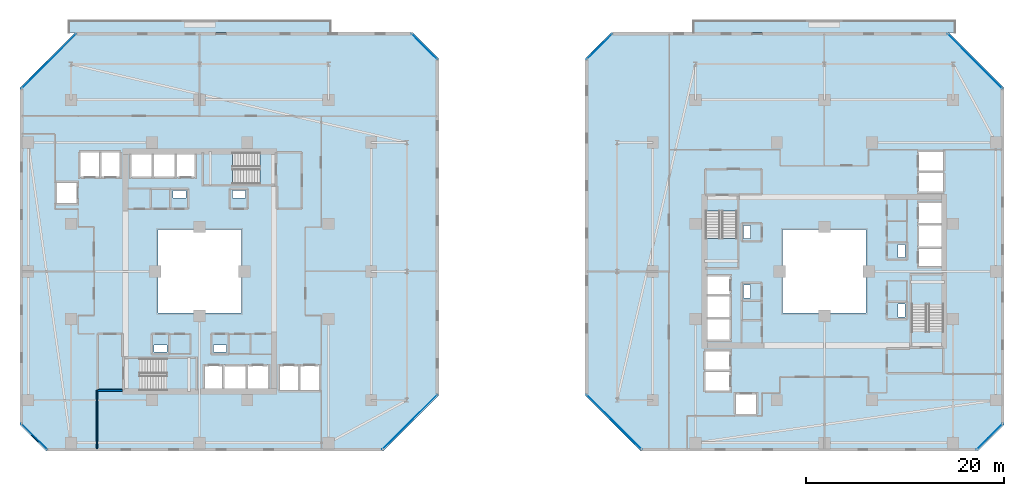
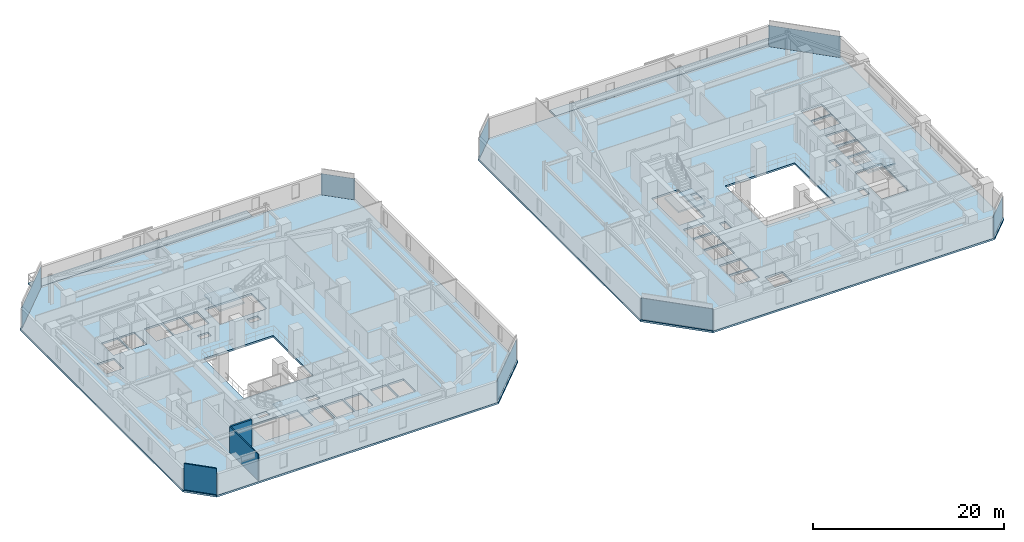
# One storey, part 15 of 29: 8 plates, 8 slabs, 3 walls, 12 elements without a shape of their own.
"""IFC4 building model written with IfcOpenShell, lengths in metres."""

import ifcopenshell
import ifcopenshell.guid

model = None  # the IFC model being written
_history = None  # IfcOwnerHistory: only IFC2X3 demands one
_inside = {}  # id of a spatial element -> (the spatial element, [elements in it])
_under = {}  # id of a project, library or spatial element -> (it, [spatial elements below it])
_declared = {}  # id of a project -> (the project, [libraries it declares])
_typed = {}  # id of a type object -> (the type object, [elements of that type])
_made_of = {}  # id of a material, layer set ... -> (it, [elements and type objects made of it])


def new_model(schema):
    """Start an empty IFC model of exactly this schema.

    Asked for "IFC4X3", IfcOpenShell would pick the latest addendum, in which some entities
    have other attributes; the version numbers below select the first issue.
    IFC2X3 requires an IfcOwnerHistory on every rooted entity: one is made here for all.
    """
    global model, _history
    if schema == "IFC4X3":
        model = ifcopenshell.file(schema_version=(4, 3, 0, 0))
    else:
        model = ifcopenshell.file(schema=schema)
    _inside.clear()
    _under.clear()
    _declared.clear()
    _typed.clear()
    _made_of.clear()
    _history = None
    if model.schema == "IFC2X3":
        org = make("IfcOrganization", Name="unknown")
        user = make(
            "IfcPersonAndOrganization",
            ThePerson=make("IfcPerson", FamilyName="unknown"),
            TheOrganization=org,
        )
        app = make(
            "IfcApplication",
            ApplicationDeveloper=org,
            Version="unknown",
            ApplicationFullName="unknown",
            ApplicationIdentifier="unknown",
        )
        _history = make(
            "IfcOwnerHistory",
            OwningUser=user,
            OwningApplication=app,
            ChangeAction="ADDED",
            CreationDate=0,
        )
    return model


def make(cls, **values):
    """One entity of the class cls with the attributes given. An attribute that is None is left unset."""
    return model.create_entity(
        cls, **{name: value for name, value in values.items() if value is not None}
    )


def rooted(cls, **values):
    """An entity with a GlobalId (a new one), such as an element, a storey or a relation."""
    return make(cls, GlobalId=ifcopenshell.guid.new(), OwnerHistory=_history, **values)


def si_unit(unit_type, name, prefix=None):
    """IfcSIUnit, for example si_unit("LENGTHUNIT", "METRE", prefix="MILLI")."""
    return make("IfcSIUnit", UnitType=unit_type, Prefix=prefix, Name=name)


def assignment(units):
    """IfcUnitAssignment: the units of a project."""
    return None if units is None else make("IfcUnitAssignment", Units=units)


def point(xyz):
    """IfcCartesianPoint."""
    return None if xyz is None else make("IfcCartesianPoint", Coordinates=xyz)


def direction(xyz):
    """IfcDirection."""
    return None if xyz is None else make("IfcDirection", DirectionRatios=xyz)


def frame(location, z_axis=None, x_axis=None):
    """IfcAxis2Placement3D, a coordinate frame: its origin and axes. An axis left out is left unset."""
    return make(
        "IfcAxis2Placement3D",
        Location=point(location),
        Axis=direction(z_axis),
        RefDirection=direction(x_axis),
    )


def frame_2d(location, x_axis=None):
    """IfcAxis2Placement2D, a coordinate frame in the plane: its origin and x axis."""
    return make(
        "IfcAxis2Placement2D", Location=point(location), RefDirection=direction(x_axis)
    )


def origin():
    """The frame at (0, 0, 0) with its axes left unset."""
    return frame((0.0, 0.0, 0.0))


def origin_2d():
    """The frame at (0, 0) in the plane with its x axis left unset."""
    return frame_2d((0.0, 0.0))


def place(relative_to, where):
    """IfcLocalPlacement: puts the frame where relative to a parent placement (None: the world)."""
    return make(
        "IfcLocalPlacement", PlacementRelTo=relative_to, RelativePlacement=where
    )


def context(
    kind, dimensions, precision=None, world=None, true_north=None, identifier=None
):
    """IfcGeometricRepresentationContext, for example the 3D "Model" context."""
    return make(
        "IfcGeometricRepresentationContext",
        ContextIdentifier=identifier,
        ContextType=kind,
        CoordinateSpaceDimension=dimensions,
        Precision=precision,
        WorldCoordinateSystem=world,
        TrueNorth=true_north,
    )


def subcontext(parent, identifier, kind, view, scale=None):
    """IfcGeometricRepresentationSubContext, for example "Body" below "Model"."""
    return make(
        "IfcGeometricRepresentationSubContext",
        ContextIdentifier=identifier,
        ContextType=kind,
        ParentContext=parent,
        TargetScale=scale,
        TargetView=view,
    )


def project(units=None, contexts=None):
    """IfcProject with its units and contexts."""
    return rooted(
        "IfcProject",
        Name="project",
        RepresentationContexts=contexts,
        UnitsInContext=assignment(units),
    )


def spatial(cls, under=None, at=None, **own):
    """A site, building, storey or space (cls), placed at a placement, below another one or the project."""
    s = rooted(cls, ObjectPlacement=at, **own)
    if under is not None:
        _under.setdefault(under.id(), (under, []))[1].append(s)
    return s


def polyline(points):
    """IfcPolyline through the points."""
    return make("IfcPolyline", Points=[point(p) for p in points])


def profile(cls, at=None, kind="AREA", **sizes):
    """A parametric profile (cls). Its sizes go by their IFC names, for example OverallWidth=200.0."""
    return make(cls, ProfileType=kind, Position=at, **sizes)


def rectangle(**sizes):
    """IfcRectangleProfileDef."""
    return profile("IfcRectangleProfileDef", **sizes)


def outline(outer, holes=None, kind="AREA"):
    """IfcArbitraryClosedProfileDef: a profile drawn as a closed curve; with holes, ...WithVoids."""
    if holes is None:
        return make("IfcArbitraryClosedProfileDef", ProfileType=kind, OuterCurve=outer)
    return make(
        "IfcArbitraryProfileDefWithVoids",
        ProfileType=kind,
        OuterCurve=outer,
        InnerCurves=holes,
    )


def extrude(swept, where, along, depth):
    """IfcExtrudedAreaSolid: the profile swept, set in the frame where, extruded along a direction by depth."""
    return make(
        "IfcExtrudedAreaSolid",
        SweptArea=swept,
        Position=where,
        ExtrudedDirection=direction(along),
        Depth=depth,
    )


def shape(context_of_items, identifier, shape_type, items):
    """IfcShapeRepresentation: the items that make up one representation, for example the "Body"."""
    return make(
        "IfcShapeRepresentation",
        ContextOfItems=context_of_items,
        RepresentationIdentifier=identifier,
        RepresentationType=shape_type,
        Items=items,
    )


def material(Name=None, Category=None):
    """IfcMaterial."""
    return make("IfcMaterial", Name=Name, Category=Category)


def layer(
    of_material, thickness, ventilated=None, Name=None, Category=None, Priority=None
):
    """IfcMaterialLayer: one layer of a wall or slab, of a material (None: an air gap)."""
    return make(
        "IfcMaterialLayer",
        Material=of_material,
        LayerThickness=thickness,
        IsVentilated=ventilated,
        Name=Name,
        Category=Category,
        Priority=Priority,
    )


def layer_set(layers, Name=None):
    """IfcMaterialLayerSet."""
    return make("IfcMaterialLayerSet", MaterialLayers=layers, LayerSetName=Name)


def made_of(thing, what):
    """Note that an element or type object is made of a material, layer set ...; save() writes the relation."""
    if what is not None:
        _made_of.setdefault(what.id(), (what, []))[1].append(thing)
    return thing


def type_object(cls, material=None, **own):
    """A type object (cls), such as IfcWallType, which elements share."""
    return made_of(rooted(cls, **own), material)


def element(
    cls,
    number,
    at=None,
    inside=None,
    cuts=None,
    type_object=None,
    material=None,
    context=None,
    identifier="Body",
    shape_type=None,
    held_by="IfcProductDefinitionShape",
    body=None,
    shapes=None,
    **own,
):
    """One element of the class cls, such as IfcWall. Its Tag is "e" and its number.

    at: its placement. inside: the storey or other place that contains it. cuts: it is an
    opening in that element (IfcRelVoidsElement). A single representation is given by context,
    identifier, shape_type and body (its items); several are given by shapes. held_by: the class
    of the entity that holds the representations. save() writes the other relations.
    """
    e = rooted(cls, Tag="e%d" % number, ObjectPlacement=at, **own)
    if body is not None:
        shapes = [shape(context, identifier, shape_type, body)]
    if shapes is not None:
        e.Representation = make(held_by, Representations=shapes)
    if inside is not None:
        _inside.setdefault(inside.id(), (inside, []))[1].append(e)
    if cuts is not None:
        rooted(
            "IfcRelVoidsElement", RelatingBuildingElement=cuts, RelatedOpeningElement=e
        )
    if type_object is not None:
        _typed.setdefault(type_object.id(), (type_object, []))[1].append(e)
    return made_of(e, material)


def aggregate(whole, parts):
    """IfcRelAggregates: a whole, such as a stair, and the parts it consists of."""
    return rooted("IfcRelAggregates", RelatingObject=whole, RelatedObjects=parts)


def save(model, path):
    """Write the relations noted so far, then the file.

    IfcRelAggregates (storeys below a building ...), IfcRelContainedInSpatialStructure (elements
    in a storey), IfcRelDefinesByType, IfcRelAssociatesMaterial and IfcRelDeclares: one each for
    every whole, place, type object, material and project.
    """
    for whole, parts in _under.values():
        aggregate(whole, parts)
    for where, things in _inside.values():
        rooted(
            "IfcRelContainedInSpatialStructure",
            RelatedElements=things,
            RelatingStructure=where,
        )
    for kind, things in _typed.values():
        rooted("IfcRelDefinesByType", RelatedObjects=things, RelatingType=kind)
    for what, things in _made_of.values():
        rooted("IfcRelAssociatesMaterial", RelatedObjects=things, RelatingMaterial=what)
    for by, libraries in _declared.values():
        rooted("IfcRelDeclares", RelatingContext=by, RelatedDefinitions=libraries)
    model.write(path)


model = new_model("IFC4")

# Units and contexts
model_context = context("Model", 3, precision=1e-05, world=origin(), true_north=direction((0.0, 1.0)))
body_context = subcontext(model_context, "Body", "Model", "MODEL_VIEW")
ifc_project = project(units=[si_unit("LENGTHUNIT", "METRE"), si_unit("AREAUNIT", "SQUARE_METRE"), si_unit("VOLUMEUNIT", "CUBIC_METRE"), si_unit("PLANEANGLEUNIT", "RADIAN"), si_unit("MASSUNIT", "GRAM", prefix="KILO")], contexts=[model_context])

# Site, building, storey
site_placement = place(None, origin())
site = spatial("IfcSite", under=ifc_project, at=site_placement, CompositionType="ELEMENT")
building_placement = place(site_placement, origin())
building = spatial("IfcBuilding", under=site, at=building_placement, Name="Thornwick Lancets Civic Towers", CompositionType="ELEMENT")
storey_placement = place(building_placement, frame((0.0, 0.0, 83.699951171875)))
storey = spatial("IfcBuildingStorey", under=building, at=storey_placement, Name="L21", CompositionType="ELEMENT", Elevation=83.699951171875)

# Curtain wall, plate
ifc_material_1 = material(Name="Low-zone chamfered-corner unitised glass curtain wall", Category="glass")
curtain_wall_type = type_object("IfcCurtainWallType", Name="CW_SYS_03", PredefinedType="NOTDEFINED", material=ifc_material_1)
curtain_wall_1_placement = place(storey_placement, origin())
curtain_wall_1 = element("IfcCurtainWall", 1, at=curtain_wall_1_placement, inside=storey, type_object=curtain_wall_type, Name="L21 Curtain Wall CW-L21-A-E1", PredefinedType="NOTDEFINED")
ifc_material_2 = material(Name="Low-e double glazing clear glass", Category="glass")
ifc_layer_1 = layer(ifc_material_2, 0.035888671875, Name="Low-e double glazing clear glass")
ifc_layer_set_1 = layer_set([ifc_layer_1], Name="Low-e double glazing clear glass")
plate_type = type_object("IfcPlateType", Name="CW_PNL_GLASS", PredefinedType="CURTAIN_PANEL", material=ifc_layer_set_1)
plate_1_placement = place(storey_placement, frame((46.70166015625, 11.79833984375, 0.0), z_axis=(0.0, 0.0, 1.0), x_axis=(0.707106781187, 0.707106781187, 0.0)))
plate_1 = element("IfcPlate", 2, at=plate_1_placement, type_object=plate_type, Name="CW-L21-A-E1 Panel 0", PredefinedType="CURTAIN_PANEL", context=body_context, shape_type="SweptSolid", body=[
    extrude(rectangle(XDim=7.783935546875, YDim=0.035888671875, at=origin_2d()), origin(), (0.0, 0.0, 1.0), 2.699951171875),
])
aggregate(curtain_wall_1, [plate_1])

curtain_wall_2_placement = place(storey_placement, origin())
curtain_wall_2 = element("IfcCurtainWall", 3, at=curtain_wall_2_placement, inside=storey, type_object=curtain_wall_type, Name="L21 Curtain Wall CW-L21-A-E3", PredefinedType="NOTDEFINED")
plate_2_placement = place(storey_placement, frame((48.173095703125, 49.673095703125, 0.0), z_axis=(0.0, 0.0, 1.0), x_axis=(-0.707106781187, 0.707106781187, 0.0)))
plate_2 = element("IfcPlate", 4, at=plate_2_placement, type_object=plate_type, Name="CW-L21-A-E3 Panel 0", PredefinedType="CURTAIN_PANEL", context=body_context, shape_type="SweptSolid", body=[
    extrude(rectangle(XDim=3.6494140625, YDim=0.035888671875, at=origin_2d()), origin(), (0.0, 0.0, 1.0), 2.699951171875),
])
aggregate(curtain_wall_2, [plate_2])

curtain_wall_3_placement = place(storey_placement, origin())
curtain_wall_3 = element("IfcCurtainWall", 5, at=curtain_wall_3_placement, inside=storey, type_object=curtain_wall_type, Name="L21 Curtain Wall CW-L21-A-E5", PredefinedType="NOTDEFINED")
plate_3_placement = place(storey_placement, frame((10.29833984375, 48.20166015625, 0.0), z_axis=(0.0, 0.0, 1.0), x_axis=(-0.707106781187, -0.707106781187, 0.0)))
plate_3 = element("IfcPlate", 6, at=plate_3_placement, type_object=plate_type, Name="CW-L21-A-E5 Panel 0", PredefinedType="CURTAIN_PANEL", context=body_context, shape_type="SweptSolid", body=[
    extrude(rectangle(XDim=7.783935546875, YDim=0.035888671875, at=origin_2d()), origin(), (0.0, 0.0, 1.0), 2.699951171875),
])
aggregate(curtain_wall_3, [plate_3])

curtain_wall_4_placement = place(storey_placement, origin())
curtain_wall_4 = element("IfcCurtainWall", 7, at=curtain_wall_4_placement, inside=storey, type_object=curtain_wall_type, Name="L21 Curtain Wall CW-L21-A-E7", PredefinedType="NOTDEFINED")
plate_4_placement = place(storey_placement, frame((8.826904296875, 10.326904296875, 0.0), z_axis=(0.0, 0.0, 1.0), x_axis=(0.707106781187, -0.707106781187, 0.0)))
plate_4 = element("IfcPlate", 8, at=plate_4_placement, type_object=plate_type, Name="CW-L21-A-E7 Panel 0", PredefinedType="CURTAIN_PANEL", context=body_context, shape_type="SweptSolid", body=[
    extrude(rectangle(XDim=3.6494140625, YDim=0.035888671875, at=origin_2d()), origin(), (0.0, 0.0, 1.0), 2.699951171875),
])
aggregate(curtain_wall_4, [plate_4])

curtain_wall_5_placement = place(storey_placement, origin())
curtain_wall_5 = element("IfcCurtainWall", 9, at=curtain_wall_5_placement, inside=storey, type_object=curtain_wall_type, Name="L21 Curtain Wall CW-L21-B-E1", PredefinedType="NOTDEFINED")
plate_5_placement = place(storey_placement, frame((105.173095703125, 10.326904296875, 0.0), z_axis=(0.0, 0.0, 1.0), x_axis=(0.707106781187, 0.707106781187, 0.0)))
plate_5 = element("IfcPlate", 10, at=plate_5_placement, type_object=plate_type, Name="CW-L21-B-E1 Panel 0", PredefinedType="CURTAIN_PANEL", context=body_context, shape_type="SweptSolid", body=[
    extrude(rectangle(XDim=3.6494140625, YDim=0.035888671875, at=origin_2d()), origin(), (0.0, 0.0, 1.0), 2.699951171875),
])
aggregate(curtain_wall_5, [plate_5])

curtain_wall_6_placement = place(storey_placement, origin())
curtain_wall_6 = element("IfcCurtainWall", 11, at=curtain_wall_6_placement, inside=storey, type_object=curtain_wall_type, Name="L21 Curtain Wall CW-L21-B-E3", PredefinedType="NOTDEFINED")
plate_6_placement = place(storey_placement, frame((103.70166015625, 48.20166015625, 0.0), z_axis=(0.0, 0.0, 1.0), x_axis=(-0.707106781187, 0.707106781187, 0.0)))
plate_6 = element("IfcPlate", 12, at=plate_6_placement, type_object=plate_type, Name="CW-L21-B-E3 Panel 0", PredefinedType="CURTAIN_PANEL", context=body_context, shape_type="SweptSolid", body=[
    extrude(rectangle(XDim=7.783935546875, YDim=0.035888671875, at=origin_2d()), origin(), (0.0, 0.0, 1.0), 2.699951171875),
])
aggregate(curtain_wall_6, [plate_6])

curtain_wall_7_placement = place(storey_placement, origin())
curtain_wall_7 = element("IfcCurtainWall", 13, at=curtain_wall_7_placement, inside=storey, type_object=curtain_wall_type, Name="L21 Curtain Wall CW-L21-B-E5", PredefinedType="NOTDEFINED")
plate_7_placement = place(storey_placement, frame((65.826904296875, 49.673095703125, 0.0), z_axis=(0.0, 0.0, 1.0), x_axis=(-0.707106781187, -0.707106781187, 0.0)))
plate_7 = element("IfcPlate", 14, at=plate_7_placement, type_object=plate_type, Name="CW-L21-B-E5 Panel 0", PredefinedType="CURTAIN_PANEL", context=body_context, shape_type="SweptSolid", body=[
    extrude(rectangle(XDim=3.6494140625, YDim=0.035888671875, at=origin_2d()), origin(), (0.0, 0.0, 1.0), 2.699951171875),
])
aggregate(curtain_wall_7, [plate_7])

curtain_wall_8_placement = place(storey_placement, origin())
curtain_wall_8 = element("IfcCurtainWall", 15, at=curtain_wall_8_placement, inside=storey, type_object=curtain_wall_type, Name="L21 Curtain Wall CW-L21-B-E7", PredefinedType="NOTDEFINED")
plate_8_placement = place(storey_placement, frame((67.29833984375, 11.79833984375, 0.0), z_axis=(0.0, 0.0, 1.0), x_axis=(0.707106781187, -0.707106781187, 0.0)))
plate_8 = element("IfcPlate", 16, at=plate_8_placement, type_object=plate_type, Name="CW-L21-B-E7 Panel 0", PredefinedType="CURTAIN_PANEL", context=body_context, shape_type="SweptSolid", body=[
    extrude(rectangle(XDim=7.783935546875, YDim=0.035888671875, at=origin_2d()), origin(), (0.0, 0.0, 1.0), 2.699951171875),
])
aggregate(curtain_wall_8, [plate_8])

# Slabs
ifc_material_3 = material(Name="Post-tensioned concrete C40/50", Category="concrete")
ifc_layer_2 = layer(ifc_material_3, 0.199951171875, Name="Post-tensioned concrete C40/50")
ifc_layer_set_2 = layer_set([ifc_layer_2], Name="Post-tensioned concrete C40/50")
slab_type_1 = type_object("IfcSlabType", Name="SLAB_BALCONY_200", PredefinedType="FLOOR", material=ifc_layer_set_2)
slab_1_placement = place(storey_placement, frame((0.0, 0.0, -0.199951171875)))
element("IfcSlab", 17, at=slab_1_placement, inside=storey, type_object=slab_type_1, Name="L21 Tower A Planted Balcony Slab N", PredefinedType="FLOOR", context=body_context, shape_type="SweptSolid", body=[
    extrude(outline(polyline([(12.300048828125, 51.10009765625), (38.699951171875, 51.10009765625), (38.699951171875, 52.35009765625), (12.300048828125, 52.35009765625), (12.300048828125, 51.10009765625)])), origin(), (0.0, 0.0, 1.0), 0.199951171875),
])
slab_2_placement = place(storey_placement, frame((0.0, 0.0, -0.199951171875)))
element("IfcSlab", 18, at=slab_2_placement, inside=storey, type_object=slab_type_1, Name="L21 Tower B Planted Balcony Slab N", PredefinedType="FLOOR", context=body_context, shape_type="SweptSolid", body=[
    extrude(outline(polyline([(75.300048828125, 51.10009765625), (101.699951171875, 51.10009765625), (101.699951171875, 52.35009765625), (75.300048828125, 52.35009765625), (75.300048828125, 51.10009765625)])), origin(), (0.0, 0.0, 1.0), 0.199951171875),
])

# Stair, slab
ifc_material_4 = material(Name="Concrete C40/50", Category="concrete")
stair_type = type_object("IfcStairType", Name="STAIR_DL_3600", PredefinedType="HALF_TURN_STAIR", material=ifc_material_4)
stair_1_placement = place(storey_placement, origin())
stair_1 = element("IfcStair", 19, at=stair_1_placement, inside=storey, type_object=stair_type, Name="L21 Tower A South Exit Stair ST-A1", PredefinedType="HALF_TURN_STAIR")
ifc_layer_3 = layer(ifc_material_4, 0.25, Name="Concrete C40/50")
ifc_layer_set_3 = layer_set([ifc_layer_3], Name="Concrete C40/50")
slab_type_2 = type_object("IfcSlabType", Name="SLAB_LANDING_200", PredefinedType="LANDING", material=ifc_layer_set_3)
slab_3_placement = place(storey_placement, frame((0.0, 0.0, 1.60302734375)))
slab_3 = element("IfcSlab", 20, at=slab_3_placement, type_object=slab_type_2, Name="ST-A1 landing 1", PredefinedType="LANDING", context=body_context, shape_type="SweptSolid", body=[
    extrude(outline(polyline([(22.169921875, 14.93994140625), (25.14990234375, 14.93994140625), (25.14990234375, 18.260009765625), (22.169921875, 18.260009765625), (22.169921875, 14.93994140625)])), origin(), (0.0, 0.0, 1.0), 0.199951171875),
])
aggregate(stair_1, [slab_3])

stair_2_placement = place(storey_placement, origin())
stair_2 = element("IfcStair", 21, at=stair_2_placement, inside=storey, type_object=stair_type, Name="L21 Tower A North Exit Stair ST-A2", PredefinedType="HALF_TURN_STAIR")
slab_4_placement = place(storey_placement, frame((0.0, 0.0, 1.60302734375)))
slab_4 = element("IfcSlab", 22, at=slab_4_placement, type_object=slab_type_2, Name="ST-A2 landing 1", PredefinedType="LANDING", context=body_context, shape_type="SweptSolid", body=[
    extrude(outline(polyline([(28.830078125, 39.06005859375), (25.85009765625, 39.06005859375), (25.85009765625, 35.739990234375), (28.830078125, 35.739990234375), (28.830078125, 39.06005859375)])), origin(), (0.0, 0.0, 1.0), 0.199951171875),
])
aggregate(stair_2, [slab_4])

stair_3_placement = place(storey_placement, origin())
stair_3 = element("IfcStair", 23, at=stair_3_placement, inside=storey, type_object=stair_type, Name="L21 Tower B East Exit Stair ST-B1", PredefinedType="HALF_TURN_STAIR")
slab_5_placement = place(storey_placement, frame((0.0, 0.0, 1.60302734375)))
slab_5 = element("IfcSlab", 24, at=slab_5_placement, type_object=slab_type_2, Name="ST-B1 landing 1", PredefinedType="LANDING", context=body_context, shape_type="SweptSolid", body=[
    extrude(outline(polyline([(100.56005859375, 23.669921875), (100.56005859375, 26.64990234375), (97.239990234375, 26.64990234375), (97.239990234375, 23.669921875), (100.56005859375, 23.669921875)])), origin(), (0.0, 0.0, 1.0), 0.199951171875),
])
aggregate(stair_3, [slab_5])

stair_4_placement = place(storey_placement, origin())
stair_4 = element("IfcStair", 25, at=stair_4_placement, inside=storey, type_object=stair_type, Name="L21 Tower B West Exit Stair ST-B2", PredefinedType="HALF_TURN_STAIR")
slab_6_placement = place(storey_placement, frame((0.0, 0.0, 1.60302734375)))
slab_6 = element("IfcSlab", 26, at=slab_6_placement, type_object=slab_type_2, Name="ST-B2 landing 1", PredefinedType="LANDING", context=body_context, shape_type="SweptSolid", body=[
    extrude(outline(polyline([(76.43994140625, 30.330078125), (76.43994140625, 27.35009765625), (79.760009765625, 27.35009765625), (79.760009765625, 30.330078125), (76.43994140625, 30.330078125)])), origin(), (0.0, 0.0, 1.0), 0.199951171875),
])
aggregate(stair_4, [slab_6])

# Slabs
ifc_layer_4 = layer(ifc_material_3, 0.239990234375, Name="Post-tensioned concrete C40/50")
ifc_layer_set_4 = layer_set([ifc_layer_4], Name="Post-tensioned concrete C40/50")
slab_type_3 = type_object("IfcSlabType", Name="SLAB_PT_240", PredefinedType="FLOOR", material=ifc_layer_set_4)
slab_7_placement = place(storey_placement, frame((0.0, 0.0, -0.239990234375)))
element("IfcSlab", 27, at=slab_7_placement, inside=storey, type_object=slab_type_3, Name="L21 Tower A Floor Slab", PredefinedType="FLOOR", context=body_context, shape_type="SweptSolid", body=[
    extrude(outline(polyline([(10.0, 8.89990234375), (44.054931640625, 8.89990234375), (49.60009765625, 14.445068359375), (49.60009765625, 48.5), (47.0, 51.10009765625), (12.945068359375, 51.10009765625), (7.39990234375, 45.554931640625), (7.39990234375, 11.5), (10.0, 8.89990234375)]), holes=[polyline([(21.300048828125, 22.800048828125), (29.699951171875, 22.800048828125), (29.699951171875, 31.199951171875), (21.300048828125, 31.199951171875), (21.300048828125, 22.800048828125)]), polyline([(19.429931640625, 15.0), (25.10009765625, 15.0), (25.10009765625, 18.199951171875), (19.429931640625, 18.199951171875), (19.429931640625, 15.0)]), polyline([(31.570068359375, 39.0), (25.89990234375, 39.0), (25.89990234375, 35.800048828125), (31.570068359375, 35.800048828125), (31.570068359375, 39.0)]), polyline([(26.0, 15.0), (27.800048828125, 15.0), (27.800048828125, 17.550048828125), (26.0, 17.550048828125), (26.0, 15.0)]), polyline([(28.0, 15.0), (30.14990234375, 15.0), (30.14990234375, 17.550048828125), (28.0, 17.550048828125), (28.0, 15.0)]), polyline([(30.35009765625, 15.0), (32.39990234375, 15.0), (32.39990234375, 17.550048828125), (30.35009765625, 17.550048828125), (30.35009765625, 15.0)]), polyline([(33.550048828125, 15.0), (35.449951171875, 15.0), (35.449951171875, 17.550048828125), (33.550048828125, 17.550048828125), (33.550048828125, 15.0)]), polyline([(35.60009765625, 15.0), (37.550048828125, 15.0), (37.550048828125, 17.550048828125), (35.60009765625, 17.550048828125), (35.60009765625, 15.0)]), polyline([(23.199951171875, 36.449951171875), (25.0, 36.449951171875), (25.0, 39.0), (23.199951171875, 39.0), (23.199951171875, 36.449951171875)]), polyline([(20.85009765625, 36.449951171875), (23.0, 36.449951171875), (23.0, 39.0), (20.85009765625, 39.0), (20.85009765625, 36.449951171875)]), polyline([(18.60009765625, 36.449951171875), (20.699951171875, 36.449951171875), (20.699951171875, 39.0), (18.60009765625, 39.0), (18.60009765625, 36.449951171875)]), polyline([(15.550048828125, 36.449951171875), (17.449951171875, 36.449951171875), (17.449951171875, 39.0), (15.550048828125, 39.0), (15.550048828125, 36.449951171875)]), polyline([(13.449951171875, 36.449951171875), (15.39990234375, 36.449951171875), (15.39990234375, 39.0), (13.449951171875, 39.0), (13.449951171875, 36.449951171875)]), polyline([(11.10009765625, 33.85009765625), (13.199951171875, 33.85009765625), (13.199951171875, 35.949951171875), (11.10009765625, 35.949951171875), (11.10009765625, 33.85009765625)]), polyline([(26.89990234375, 18.85009765625), (28.199951171875, 18.85009765625), (28.199951171875, 19.580078125), (26.89990234375, 19.580078125), (26.89990234375, 18.85009765625)]), polyline([(20.89990234375, 18.85009765625), (22.199951171875, 18.85009765625), (22.199951171875, 19.580078125), (20.89990234375, 19.580078125), (20.89990234375, 18.85009765625)]), polyline([(22.800048828125, 34.419921875), (24.10009765625, 34.419921875), (24.10009765625, 35.14990234375), (22.800048828125, 35.14990234375), (22.800048828125, 34.419921875)]), polyline([(28.800048828125, 34.419921875), (30.10009765625, 34.419921875), (30.10009765625, 35.14990234375), (28.800048828125, 35.14990234375), (28.800048828125, 34.419921875)])]), origin(), (0.0, 0.0, 1.0), 0.239990234375),
])
slab_8_placement = place(storey_placement, frame((0.0, 0.0, -0.239990234375)))
element("IfcSlab", 28, at=slab_8_placement, inside=storey, type_object=slab_type_3, Name="L21 Tower B Floor Slab", PredefinedType="FLOOR", context=body_context, shape_type="SweptSolid", body=[
    extrude(outline(polyline([(69.945068359375, 8.89990234375), (104.0, 8.89990234375), (106.60009765625, 11.5), (106.60009765625, 45.554931640625), (101.054931640625, 51.10009765625), (67.0, 51.10009765625), (64.39990234375, 48.5), (64.39990234375, 14.445068359375), (69.945068359375, 8.89990234375)]), holes=[polyline([(84.300048828125, 22.800048828125), (92.699951171875, 22.800048828125), (92.699951171875, 31.199951171875), (84.300048828125, 31.199951171875), (84.300048828125, 22.800048828125)]), polyline([(100.5, 20.929931640625), (100.5, 26.60009765625), (97.300048828125, 26.60009765625), (97.300048828125, 20.929931640625), (100.5, 20.929931640625)]), polyline([(76.5, 33.070068359375), (76.5, 27.39990234375), (79.699951171875, 27.39990234375), (79.699951171875, 33.070068359375), (76.5, 33.070068359375)]), polyline([(97.949951171875, 27.5), (100.5, 27.5), (100.5, 29.300048828125), (97.949951171875, 29.300048828125), (97.949951171875, 27.5)]), polyline([(97.949951171875, 29.5), (100.5, 29.5), (100.5, 31.64990234375), (97.949951171875, 31.64990234375), (97.949951171875, 29.5)]), polyline([(97.949951171875, 31.85009765625), (100.5, 31.85009765625), (100.5, 33.89990234375), (97.949951171875, 33.89990234375), (97.949951171875, 31.85009765625)]), polyline([(97.949951171875, 35.050048828125), (100.5, 35.050048828125), (100.5, 36.949951171875), (97.949951171875, 36.949951171875), (97.949951171875, 35.050048828125)]), polyline([(97.949951171875, 37.10009765625), (100.5, 37.10009765625), (100.5, 39.050048828125), (97.949951171875, 39.050048828125), (97.949951171875, 37.10009765625)]), polyline([(76.5, 24.699951171875), (79.050048828125, 24.699951171875), (79.050048828125, 26.5), (76.5, 26.5), (76.5, 24.699951171875)]), polyline([(76.5, 22.35009765625), (79.050048828125, 22.35009765625), (79.050048828125, 24.5), (76.5, 24.5), (76.5, 22.35009765625)]), polyline([(76.5, 20.10009765625), (79.050048828125, 20.10009765625), (79.050048828125, 22.199951171875), (76.5, 22.199951171875), (76.5, 20.10009765625)]), polyline([(76.5, 17.050048828125), (79.050048828125, 17.050048828125), (79.050048828125, 18.949951171875), (76.5, 18.949951171875), (76.5, 17.050048828125)]), polyline([(76.5, 14.949951171875), (79.050048828125, 14.949951171875), (79.050048828125, 16.89990234375), (76.5, 16.89990234375), (76.5, 14.949951171875)]), polyline([(79.550048828125, 12.60009765625), (81.64990234375, 12.60009765625), (81.64990234375, 14.699951171875), (79.550048828125, 14.699951171875), (79.550048828125, 12.60009765625)]), polyline([(95.919921875, 28.39990234375), (96.64990234375, 28.39990234375), (96.64990234375, 29.699951171875), (95.919921875, 29.699951171875), (95.919921875, 28.39990234375)]), polyline([(95.919921875, 22.39990234375), (96.64990234375, 22.39990234375), (96.64990234375, 23.699951171875), (95.919921875, 23.699951171875), (95.919921875, 22.39990234375)]), polyline([(80.35009765625, 24.300048828125), (81.080078125, 24.300048828125), (81.080078125, 25.60009765625), (80.35009765625, 25.60009765625), (80.35009765625, 24.300048828125)]), polyline([(80.35009765625, 30.300048828125), (81.080078125, 30.300048828125), (81.080078125, 31.60009765625), (80.35009765625, 31.60009765625), (80.35009765625, 30.300048828125)])]), origin(), (0.0, 0.0, 1.0), 0.239990234375),
])

# Walls
ifc_material_5 = material(Name="Concrete blockwork C40/50", Category="masonry")
ifc_layer_5 = layer(ifc_material_5, 0.199951171875, Name="Concrete blockwork C40/50")
ifc_layer_set_5 = layer_set([ifc_layer_5], Name="Concrete blockwork C40/50")
wall_type_1 = type_object("IfcWallType", Name="WALL_COMP_200", PredefinedType="STANDARD", material=ifc_layer_set_5)
wall_1_placement = place(storey_placement, frame((15.199951171875, 15.0, 0.0), z_axis=(0.0, 0.0, 1.0), x_axis=(1.0, 0.0, 0.0)))
element("IfcWall", 29, at=wall_1_placement, inside=storey, type_object=wall_type_1, Name="L21 Partition L21-A-FFLOB1 E1", PredefinedType="STANDARD", context=body_context, shape_type="SweptSolid", body=[
    extrude(rectangle(XDim=2.5, YDim=0.199951171875, at=frame_2d((1.25, 0.0))), origin(), (0.0, 0.0, 1.0), 3.340087890625),
])
ifc_material_6 = material(Name="Acoustic gypsum board partition")
ifc_layer_6 = layer(ifc_material_6, 0.1201171875, Name="Acoustic gypsum board partition")
ifc_layer_set_6 = layer_set([ifc_layer_6], Name="Acoustic gypsum board partition")
wall_type_2 = type_object("IfcWallType", Name="WALL_PART_120", PredefinedType="PARTITIONING", material=ifc_layer_set_6)
wall_2_placement = place(storey_placement, frame((15.14990234375, 15.0, 0.0), z_axis=(0.0, 0.0, 1.0), x_axis=(0.0, -1.0, 0.0)))
element("IfcWall", 30, at=wall_2_placement, inside=storey, type_object=wall_type_2, Name="L21 Partition L21-A-W1 E8", PredefinedType="PARTITIONING", context=body_context, shape_type="SweptSolid", body=[
    extrude(rectangle(XDim=5.919921875, YDim=0.1201171875, at=frame_2d((2.9599609375, 0.0))), origin(), (0.0, 0.0, 1.0), 3.340087890625),
])
wall_3_placement = place(storey_placement, frame((10.07470703125, 9.080078125, 0.0), z_axis=(0.0, 0.0, 1.0), x_axis=(-0.707106781187, 0.707106781187, 0.0)))
element("IfcWall", 31, at=wall_3_placement, inside=storey, type_object=wall_type_2, Name="L21 Partition L21-A-W1 E10", PredefinedType="PARTITIONING", context=body_context, shape_type="SweptSolid", body=[
    extrude(rectangle(XDim=3.52783203125, YDim=0.1201171875, at=frame_2d((1.763916015625, 0.0))), origin(), (0.0, 0.0, 1.0), 3.340087890625),
])

save(model, "model.ifc")
